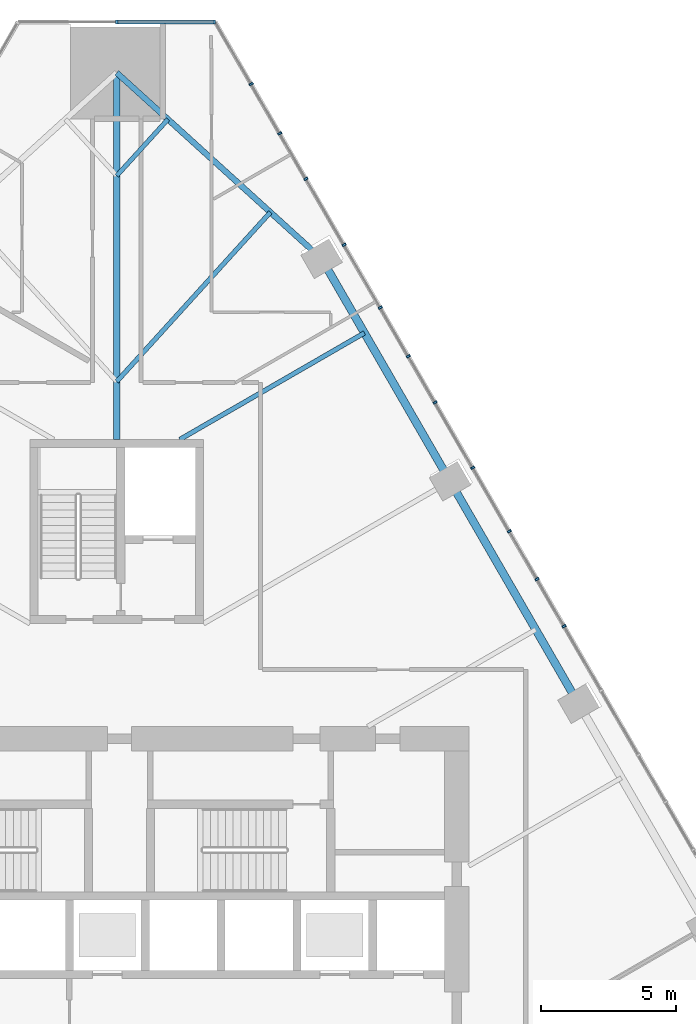
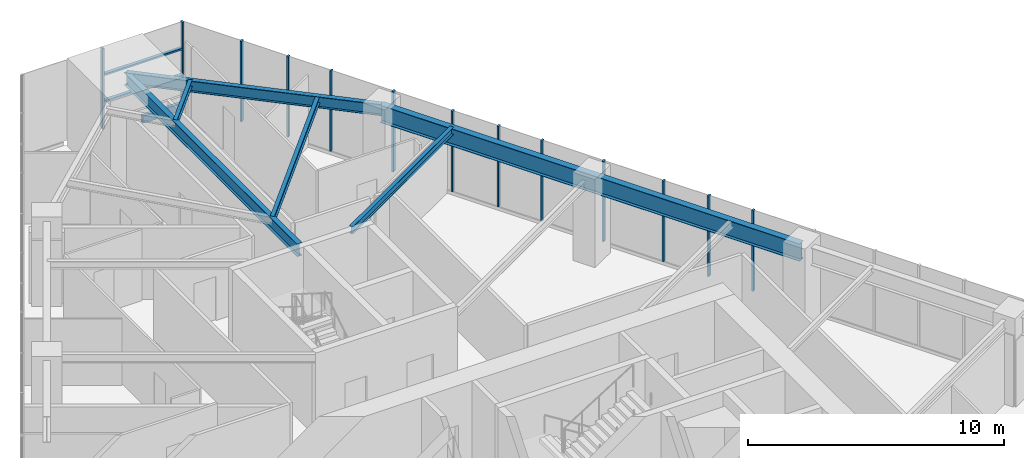
# One storey, part 11 of 21: 16 members, 6 beams, 2 elements without a shape of their own.
"""IFC4 building model written with IfcOpenShell, lengths in metres."""

from ifc_helpers import new_model, si_unit, direction, frame, origin, origin_2d, place, context, subcontext, project, spatial, rectangle, i_section, extrude, material, layer, layer_set, material_profile, profile_set, type_object, element, aggregate, save


model = new_model("IFC4")

# Units and contexts
model_context = context("Model", 3, precision=1e-05, world=origin(), true_north=direction((0.0, 1.0)))
body_context = subcontext(model_context, "Body", "Model", "MODEL_VIEW")
ifc_project = project(units=[si_unit("LENGTHUNIT", "METRE"), si_unit("AREAUNIT", "SQUARE_METRE"), si_unit("VOLUMEUNIT", "CUBIC_METRE"), si_unit("PLANEANGLEUNIT", "RADIAN"), si_unit("MASSUNIT", "GRAM", prefix="KILO")], contexts=[model_context])

# Site, building, storey
site_placement = place(None, origin())
site = spatial("IfcSite", under=ifc_project, at=site_placement, CompositionType="ELEMENT")
building_placement = place(site_placement, origin())
building = spatial("IfcBuilding", under=site, at=building_placement, Name="Firuza Gate Tower and Library", CompositionType="ELEMENT")
storey_placement = place(building_placement, frame((0.0, 0.0, 69.39990234375)))
storey = spatial("IfcBuildingStorey", under=building, at=storey_placement, Name="L15", CompositionType="ELEMENT", Elevation=69.39990234375)

# Curtain wall, members
ifc_material_1 = material(Name="Aluminium 6063-T6", Category="aluminium")
ifc_layer_1 = layer(ifc_material_1, 0.14990234375)
ifc_layer_set_1 = layer_set([ifc_layer_1], Name="Unitised curtain wall, offices")
curtain_wall_type_1 = type_object("IfcCurtainWallType", Name="Unitised curtain wall, offices", PredefinedType="NOTDEFINED", material=ifc_layer_set_1)
placement = place(storey_placement, origin())
curtain_wall_1 = element("IfcCurtainWall", 1, at=placement, inside=storey, type_object=curtain_wall_type_1, Name="CW1 L15 E face", PredefinedType="NOTDEFINED")
ifc_material_2 = material(Name="Aluminium 6063-T6", Category="aluminium")
ifc_material_profile_1 = material_profile(ifc_material_2, rectangle(XDim=0.14990234375, YDim=0.080078125, at=origin_2d()))
ifc_profile_set_1 = profile_set([ifc_material_profile_1], Name="Aluminium 6063-T6")
member_type_1 = type_object("IfcMemberType", Name="Curtain wall mullion 80x150", PredefinedType="MULLION", material=ifc_profile_set_1)
member_1_placement = place(storey_placement, frame((90.51806640625, 89.444091796875, 0.150146484375), z_axis=(0.0, 0.0, 1.0), x_axis=(-0.866025403784, -0.5, 0.0)))
member_1 = element("IfcMember", 2, at=member_1_placement, type_object=member_type_1, Name="Mullion", PredefinedType="MULLION", context=body_context, shape_type="SweptSolid", body=[
    extrude(rectangle(XDim=0.14990234375, YDim=0.080078125, at=origin_2d()), origin(), (0.0, 0.0, 1.0), 3.849853515625),
])
member_2_placement = place(storey_placement, frame((88.14306640625, 93.557373046875, 0.150146484375), z_axis=(0.0, 0.0, 1.0), x_axis=(-0.866025403784, -0.5, 0.0)))
member_2 = element("IfcMember", 3, at=member_2_placement, type_object=member_type_1, Name="Mullion", PredefinedType="MULLION", context=body_context, shape_type="SweptSolid", body=[
    extrude(rectangle(XDim=0.14990234375, YDim=0.080078125, at=origin_2d()), origin(), (0.0, 0.0, 1.0), 3.849853515625),
])
member_3_placement = place(storey_placement, frame((85.76806640625, 97.6708984375, 0.150146484375), z_axis=(0.0, 0.0, 1.0), x_axis=(-0.866025403784, -0.5, 0.0)))
member_3 = element("IfcMember", 4, at=member_3_placement, type_object=member_type_1, Name="Mullion", PredefinedType="MULLION", context=body_context, shape_type="SweptSolid", body=[
    extrude(rectangle(XDim=0.14990234375, YDim=0.080078125, at=origin_2d()), origin(), (0.0, 0.0, 1.0), 3.849853515625),
])
member_4_placement = place(storey_placement, frame((83.39306640625, 101.784423828125, 0.150146484375), z_axis=(0.0, 0.0, 1.0), x_axis=(-0.866025403784, -0.5, 0.0)))
member_4 = element("IfcMember", 5, at=member_4_placement, type_object=member_type_1, Name="Mullion", PredefinedType="MULLION", context=body_context, shape_type="SweptSolid", body=[
    extrude(rectangle(XDim=0.14990234375, YDim=0.080078125, at=origin_2d()), origin(), (0.0, 0.0, 1.0), 3.849853515625),
])
member_5_placement = place(storey_placement, frame((81.018310546875, 105.89794921875, 0.150146484375), z_axis=(0.0, 0.0, 1.0), x_axis=(-0.866025403784, -0.5, 0.0)))
member_5 = element("IfcMember", 6, at=member_5_placement, type_object=member_type_1, Name="Mullion", PredefinedType="MULLION", context=body_context, shape_type="SweptSolid", body=[
    extrude(rectangle(XDim=0.14990234375, YDim=0.080078125, at=origin_2d()), origin(), (0.0, 0.0, 1.0), 3.849853515625),
])
member_6_placement = place(storey_placement, frame((91.52001953125, 87.70849609375, 0.150146484375), z_axis=(0.0, 0.0, 1.0), x_axis=(-0.866025403784, -0.5, 0.0)))
member_6 = element("IfcMember", 7, at=member_6_placement, type_object=member_type_1, Name="Mullion", PredefinedType="MULLION", context=body_context, shape_type="SweptSolid", body=[
    extrude(rectangle(XDim=0.14990234375, YDim=0.080078125, at=origin_2d()), origin(), (0.0, 0.0, 1.0), 3.849853515625),
])
member_7_placement = place(storey_placement, frame((89.49853515625, 91.20947265625, 0.150146484375), z_axis=(0.0, 0.0, 1.0), x_axis=(-0.866025403784, -0.5, 0.0)))
member_7 = element("IfcMember", 8, at=member_7_placement, type_object=member_type_1, Name="Mullion", PredefinedType="MULLION", context=body_context, shape_type="SweptSolid", body=[
    extrude(rectangle(XDim=0.14990234375, YDim=0.080078125, at=origin_2d()), origin(), (0.0, 0.0, 1.0), 3.849853515625),
])
member_8_placement = place(storey_placement, frame((86.752685546875, 95.965576171875, 0.150146484375), z_axis=(0.0, 0.0, 1.0), x_axis=(-0.866025403784, -0.5, 0.0)))
member_8 = element("IfcMember", 9, at=member_8_placement, type_object=member_type_1, Name="Mullion", PredefinedType="MULLION", context=body_context, shape_type="SweptSolid", body=[
    extrude(rectangle(XDim=0.14990234375, YDim=0.080078125, at=origin_2d()), origin(), (0.0, 0.0, 1.0), 3.849853515625),
])
member_9_placement = place(storey_placement, frame((84.7314453125, 99.466552734375, 0.150146484375), z_axis=(0.0, 0.0, 1.0), x_axis=(-0.866025403784, -0.5, 0.0)))
member_9 = element("IfcMember", 10, at=member_9_placement, type_object=member_type_1, Name="Mullion", PredefinedType="MULLION", context=body_context, shape_type="SweptSolid", body=[
    extrude(rectangle(XDim=0.14990234375, YDim=0.080078125, at=origin_2d()), origin(), (0.0, 0.0, 1.0), 3.849853515625),
])
member_10_placement = place(storey_placement, frame((81.985595703125, 104.22265625, 0.150146484375), z_axis=(0.0, 0.0, 1.0), x_axis=(-0.866025403784, -0.5, 0.0)))
member_10 = element("IfcMember", 11, at=member_10_placement, type_object=member_type_1, Name="Mullion", PredefinedType="MULLION", context=body_context, shape_type="SweptSolid", body=[
    extrude(rectangle(XDim=0.14990234375, YDim=0.080078125, at=origin_2d()), origin(), (0.0, 0.0, 1.0), 3.849853515625),
])
member_11_placement = place(storey_placement, frame((79.964111328125, 107.7236328125, 0.150146484375), z_axis=(0.0, 0.0, 1.0), x_axis=(-0.866025403784, -0.5, 0.0)))
member_11 = element("IfcMember", 12, at=member_11_placement, type_object=member_type_1, Name="Mullion", PredefinedType="MULLION", context=body_context, shape_type="SweptSolid", body=[
    extrude(rectangle(XDim=0.14990234375, YDim=0.080078125, at=origin_2d()), origin(), (0.0, 0.0, 1.0), 3.849853515625),
])
aggregate(curtain_wall_1, [member_1, member_2, member_3, member_4, member_5, member_6, member_7, member_8, member_9, member_10, member_11])

ifc_material_3 = material(Name="Aluminium 6063-T6", Category="aluminium")
ifc_layer_2 = layer(ifc_material_3, 0.14990234375)
ifc_layer_set_2 = layer_set([ifc_layer_2], Name="Corner curtain wall, chamfers")
curtain_wall_type_2 = type_object("IfcCurtainWallType", Name="Corner curtain wall, chamfers", PredefinedType="NOTDEFINED", material=ifc_layer_set_2)
curtain_wall_2 = element("IfcCurtainWall", 13, at=placement, inside=storey, type_object=curtain_wall_type_2, Name="CW4 L15 N corner", PredefinedType="NOTDEFINED")
member_12_placement = place(storey_placement, frame((78.603271484375, 110.011474609375, 0.150146484375), z_axis=(0.0, 0.0, 1.0), x_axis=(0.0, -1.0, 0.0)))
member_12 = element("IfcMember", 14, at=member_12_placement, type_object=member_type_1, Name="Mullion", PredefinedType="MULLION", context=body_context, shape_type="SweptSolid", body=[
    extrude(rectangle(XDim=0.14990234375, YDim=0.080078125, at=origin_2d()), origin(), (0.0, 0.0, 1.0), 3.849853515625),
])
member_13_placement = place(storey_placement, frame((75.0, 110.011474609375, 0.150146484375), z_axis=(0.0, 0.0, 1.0), x_axis=(0.0, -1.0, 0.0)))
member_13 = element("IfcMember", 15, at=member_13_placement, type_object=member_type_1, Name="Mullion", PredefinedType="MULLION", context=body_context, shape_type="SweptSolid", body=[
    extrude(rectangle(XDim=0.14990234375, YDim=0.080078125, at=origin_2d()), origin(), (0.0, 0.0, 1.0), 3.849853515625),
])
ifc_material_4 = material(Name="Aluminium 6063-T6", Category="aluminium")
ifc_material_profile_2 = material_profile(ifc_material_4, rectangle(XDim=0.14990234375, YDim=0.35009765625, at=origin_2d()))
ifc_profile_set_2 = profile_set([ifc_material_profile_2], Name="Aluminium 6063-T6")
member_type_2 = type_object("IfcMemberType", Name="Curtain wall transom 350x150", PredefinedType="USERDEFINED", material=ifc_profile_set_2)
member_14_placement = place(storey_placement, frame((78.643310546875, 110.011474609375, -0.02490234375), z_axis=(-1.0, 0.0, 0.0), x_axis=(0.0, -1.0, 0.0)))
member_14 = element("IfcMember", 16, at=member_14_placement, type_object=member_type_2, Name="Transom", ObjectType="TRANSOM", PredefinedType="USERDEFINED", context=body_context, shape_type="SweptSolid", body=[
    extrude(rectangle(XDim=0.14990234375, YDim=0.35009765625, at=origin_2d()), origin(), (0.0, 0.0, 1.0), 1.863525390625),
])
ifc_material_5 = material(Name="Aluminium 6063-T6", Category="aluminium")
ifc_material_profile_3 = material_profile(ifc_material_5, rectangle(XDim=0.14990234375, YDim=0.080078125, at=origin_2d()))
ifc_profile_set_3 = profile_set([ifc_material_profile_3], Name="Aluminium 6063-T6")
member_type_3 = type_object("IfcMemberType", Name="Curtain wall transom 80x150", PredefinedType="USERDEFINED", material=ifc_profile_set_3)
member_15_placement = place(storey_placement, frame((78.603271484375, 110.011474609375, 1.4501953125), z_axis=(-1.0, 0.0, 0.0), x_axis=(0.0, -1.0, 0.0)))
member_15 = element("IfcMember", 17, at=member_15_placement, type_object=member_type_3, Name="Transom", ObjectType="TRANSOM", PredefinedType="USERDEFINED", context=body_context, shape_type="SweptSolid", body=[
    extrude(rectangle(XDim=0.14990234375, YDim=0.080078125, at=origin_2d()), origin(), (0.0, 0.0, 1.0), 3.563232421875),
])
member_16_placement = place(storey_placement, frame((78.603271484375, 110.011474609375, 2.72509765625), z_axis=(-1.0, 0.0, 0.0), x_axis=(0.0, -1.0, 0.0)))
member_16 = element("IfcMember", 18, at=member_16_placement, type_object=member_type_3, Name="Transom", ObjectType="TRANSOM", PredefinedType="USERDEFINED", context=body_context, shape_type="SweptSolid", body=[
    extrude(rectangle(XDim=0.14990234375, YDim=0.080078125, at=origin_2d()), origin(), (0.0, 0.0, 1.0), 3.563232421875),
])
aggregate(curtain_wall_2, [member_12, member_13, member_14, member_15, member_16])

# Beams
ifc_material_6 = material(Name="Steel S355", Category="steel")
ifc_material_profile_4 = material_profile(ifc_material_6, i_section(OverallWidth=0.1650390625, OverallDepth=0.31005859375, WebThickness=0.005859375, FlangeThickness=0.009765625, at=origin_2d()))
ifc_profile_set_4 = profile_set([ifc_material_profile_4], Name="Steel S355")
beam_type_1 = type_object("IfcBeamType", Name="W310x39 Floor beam", PredefinedType="JOIST", material=ifc_profile_set_4)
beam_1_placement = place(storey_placement, frame((76.890869140625, 106.42041015625, 3.84521484375), z_axis=(-0.672089489403, -0.740469930675, 0.0), x_axis=(0.740469930675, -0.672089489403, 0.0)))
element("IfcBeam", 19, at=beam_1_placement, inside=storey, type_object=beam_type_1, Name="Floor beam L15 s61", PredefinedType="JOIST", context=body_context, shape_type="SweptSolid", body=[
    extrude(i_section(OverallWidth=0.1650390625, OverallDepth=0.31005859375, WebThickness=0.005859375, FlangeThickness=0.009765625, at=origin_2d()), origin(), (0.0, 0.0, 1.0), 2.8134765625),
])
ifc_material_7 = material(Name="Steel S355", Category="steel")
ifc_material_profile_5 = material_profile(ifc_material_7, i_section(OverallWidth=0.1708984375, OverallDepth=0.35498046875, WebThickness=0.007080078125, FlangeThickness=0.01171875, at=origin_2d()))
ifc_profile_set_5 = profile_set([ifc_material_profile_5], Name="Steel S355")
beam_type_2 = type_object("IfcBeamType", Name="W360x51 Floor beam", PredefinedType="JOIST", material=ifc_profile_set_5)
beam_2_placement = place(storey_placement, frame((84.14404296875, 98.533935546875, 3.822509765625), z_axis=(-0.866021255939, -0.50000718421, 0.0), x_axis=(0.50000718421, -0.866021255939, 0.0)))
element("IfcBeam", 20, at=beam_2_placement, inside=storey, type_object=beam_type_2, Name="Floor beam L15 s55", PredefinedType="JOIST", context=body_context, shape_type="SweptSolid", body=[
    extrude(i_section(OverallWidth=0.1708984375, OverallDepth=0.35498046875, WebThickness=0.007080078125, FlangeThickness=0.01171875, at=origin_2d()), origin(), (0.0, 0.0, 1.0), 7.86767578125),
])
beam_3_placement = place(storey_placement, frame((80.67236328125, 102.988037109375, 3.822509765625), z_axis=(-0.672073629083, -0.740484326027, 0.0), x_axis=(0.740484326027, -0.672073629083, 0.0)))
element("IfcBeam", 21, at=beam_3_placement, inside=storey, type_object=beam_type_2, Name="Floor beam L15 s60", PredefinedType="JOIST", context=body_context, shape_type="SweptSolid", body=[
    extrude(i_section(OverallWidth=0.1708984375, OverallDepth=0.35498046875, WebThickness=0.007080078125, FlangeThickness=0.01171875, at=origin_2d()), origin(), (0.0, 0.0, 1.0), 8.440185546875),
])
ifc_material_8 = material(Name="Steel S355", Category="steel")
ifc_material_profile_6 = material_profile(ifc_material_8, i_section(OverallWidth=0.212890625, OverallDepth=0.5390625, WebThickness=0.01171875, FlangeThickness=0.018798828125, at=origin_2d()))
ifc_profile_set_6 = profile_set([ifc_material_profile_6], Name="Steel S355")
beam_type_3 = type_object("IfcBeamType", Name="W530x109 Edge beam", PredefinedType="SPANDREL", material=ifc_profile_set_6)
beam_4_placement = place(storey_placement, frame((82.563232421875, 101.27197265625, 3.730712890625), z_axis=(-0.740483862736, 0.672074139532, 0.0), x_axis=(-0.672074139532, -0.740483862736, 0.0)))
element("IfcBeam", 22, at=beam_4_placement, inside=storey, type_object=beam_type_3, Name="Edge beam L15 e60", PredefinedType="SPANDREL", context=body_context, shape_type="SweptSolid", body=[
    extrude(i_section(OverallWidth=0.212890625, OverallDepth=0.5390625, WebThickness=0.01171875, FlangeThickness=0.018798828125, at=origin_2d()), origin(), (0.0, 0.0, 1.0), 10.2138671875),
])
ifc_material_9 = material(Name="Steel S355", Category="steel")
ifc_material_profile_7 = material_profile(ifc_material_9, i_section(OverallWidth=0.22802734375, OverallDepth=0.60302734375, WebThickness=0.010498046875, FlangeThickness=0.014892578125, at=origin_2d()))
ifc_profile_set_7 = profile_set([ifc_material_profile_7], Name="Steel S355")
beam_type_4 = type_object("IfcBeamType", Name="W610x101 Girder", PredefinedType="BEAM", material=ifc_profile_set_7)
beam_5_placement = place(storey_placement, frame((75.0, 108.136474609375, 3.698486328125), z_axis=(0.0, -1.0, 0.0), x_axis=(1.0, 0.0, 0.0)))
element("IfcBeam", 23, at=beam_5_placement, inside=storey, type_object=beam_type_4, Name="Girder L15 gN", PredefinedType="BEAM", context=body_context, shape_type="SweptSolid", body=[
    extrude(i_section(OverallWidth=0.22802734375, OverallDepth=0.60302734375, WebThickness=0.010498046875, FlangeThickness=0.014892578125, at=origin_2d()), origin(), (0.0, 0.0, 1.0), 13.536376953125),
])
ifc_material_10 = material(Name="Steel S355", Category="steel")
ifc_material_profile_8 = material_profile(ifc_material_10, i_section(OverallWidth=0.2919921875, OverallDepth=0.8349609375, WebThickness=0.013916015625, FlangeThickness=0.018798828125, at=origin_2d()))
ifc_profile_set_8 = profile_set([ifc_material_profile_8], Name="Steel S355")
beam_type_5 = type_object("IfcBeamType", Name="W840x176 Edge beam", PredefinedType="SPANDREL", material=ifc_profile_set_8)
beam_6_placement = place(storey_placement, frame((92.048583984375, 84.843017578125, 3.58251953125), z_axis=(-0.500003555199, 0.866023351179, 0.0), x_axis=(-0.866023351179, -0.500003555199, 0.0)))
element("IfcBeam", 24, at=beam_6_placement, inside=storey, type_object=beam_type_5, Name="Edge beam L15 e52", PredefinedType="SPANDREL", context=body_context, shape_type="SweptSolid", body=[
    extrude(i_section(OverallWidth=0.2919921875, OverallDepth=0.8349609375, WebThickness=0.013916015625, FlangeThickness=0.018798828125, at=origin_2d()), origin(), (0.0, 0.0, 1.0), 18.970458984375),
])

save(model, "model.ifc")
